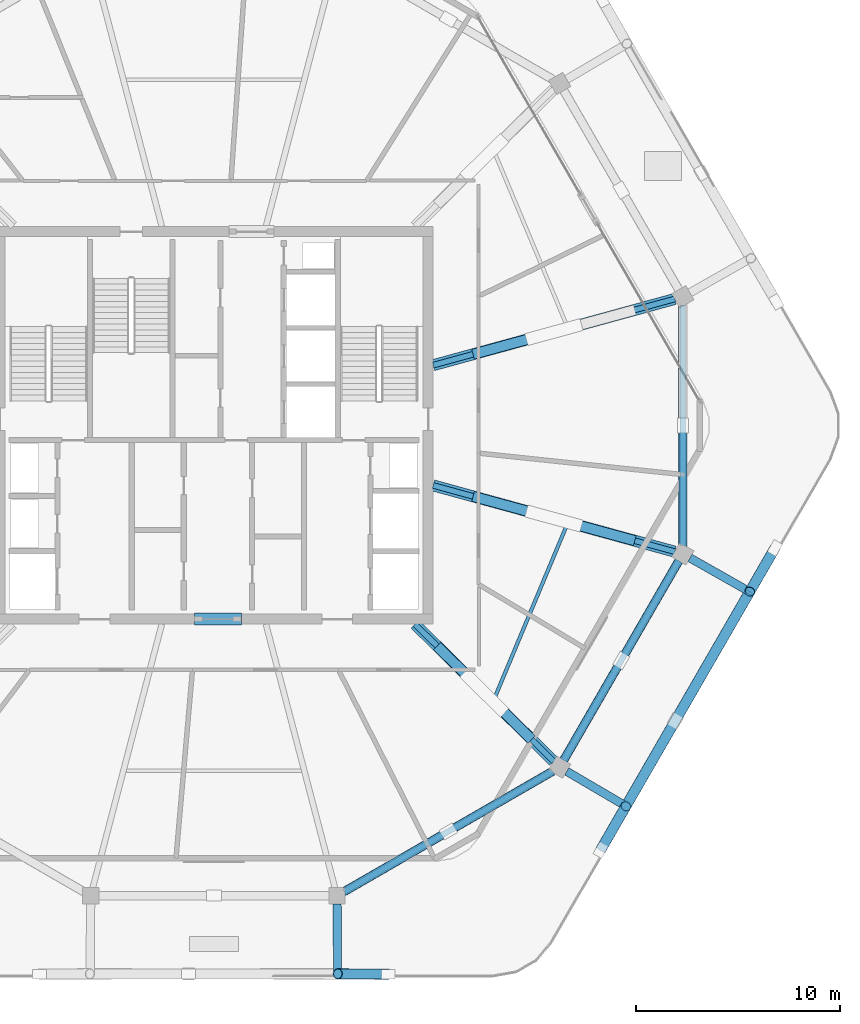
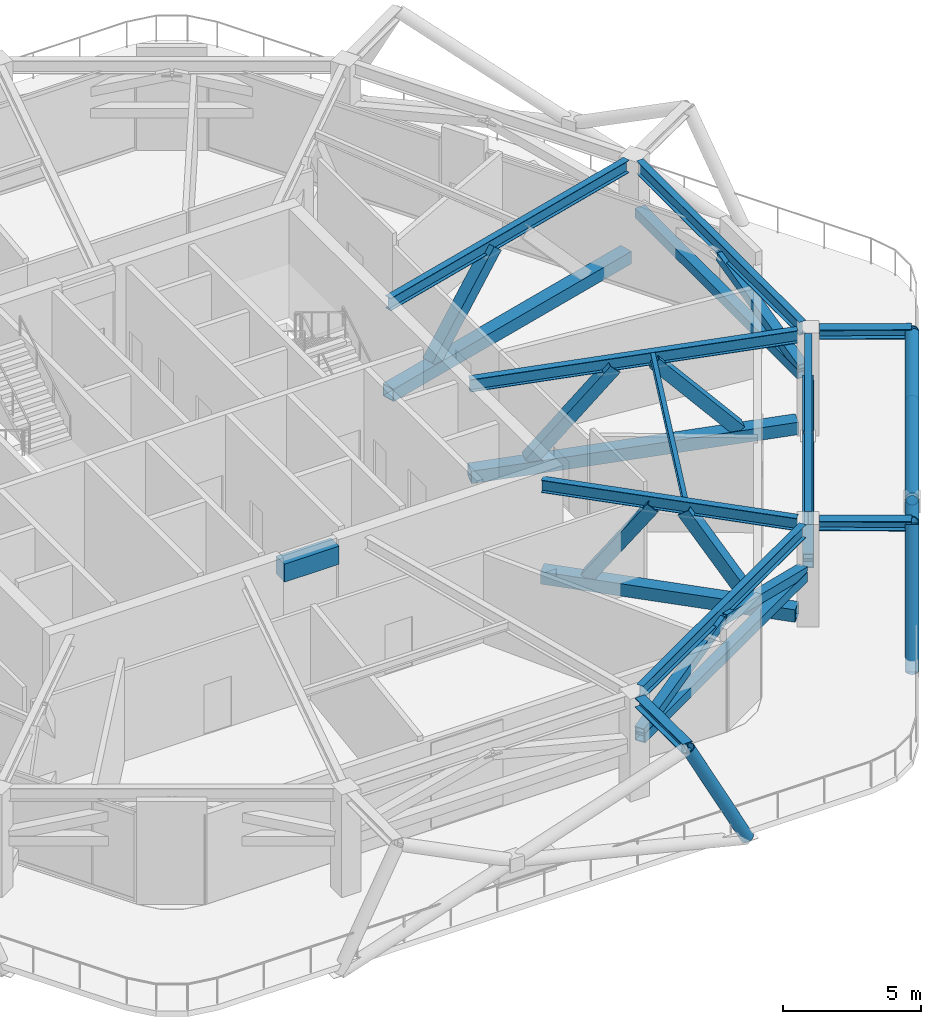
# One storey, part 5 of 19: 22 members, 11 beams.
"""IFC4 building model written with IfcOpenShell, lengths in metres."""

from ifc_helpers import new_model, si_unit, direction, frame, origin, origin_2d, place, context, subcontext, project, spatial, rectangle, hollow_rectangle, hollow_circle, i_section, extrude, material, material_profile, profile_set, type_object, element, save


model = new_model("IFC4")

# Units and contexts
model_context = context("Model", 3, precision=1e-05, world=origin(), true_north=direction((0.0, 1.0)))
body_context = subcontext(model_context, "Body", "Model", "MODEL_VIEW")
ifc_project = project(units=[si_unit("LENGTHUNIT", "METRE"), si_unit("AREAUNIT", "SQUARE_METRE"), si_unit("VOLUMEUNIT", "CUBIC_METRE"), si_unit("PLANEANGLEUNIT", "RADIAN"), si_unit("MASSUNIT", "GRAM", prefix="KILO")], contexts=[model_context])

# Site, building, storey
site_placement = place(None, origin())
site = spatial("IfcSite", under=ifc_project, at=site_placement, CompositionType="ELEMENT")
building_placement = place(site_placement, origin())
building = spatial("IfcBuilding", under=site, at=building_placement, Name="Zuhravey Tower", CompositionType="ELEMENT")
storey_placement = place(building_placement, frame((0.0, 0.0, 303.39990234375)))
storey = spatial("IfcBuildingStorey", under=building, at=storey_placement, Name="L77", CompositionType="ELEMENT", Elevation=303.39990234375)

# Members
ifc_material_1 = material(Name="Steel SM355", Category="steel")
ifc_material_profile_1 = material_profile(ifc_material_1, hollow_rectangle(XDim=0.419921875, YDim=0.419921875, WallThickness=0.028076171875, at=origin_2d()), Name="RHS-420x420x28")
ifc_profile_set_1 = profile_set([ifc_material_profile_1], Name="Steel SM355")
member_type_1 = type_object("IfcMemberType", Name="Belt Truss Chord RHS420x420", PredefinedType="CHORD", material=ifc_profile_set_1)
member_1_placement = place(storey_placement, frame((42.389404296875, 9.138427734375, 2.27001953125), z_axis=(0.86602323397, 0.500003758211, 0.0), x_axis=(-0.500003758211, 0.86602323397, 0.0)))
element("IfcMember", 1, at=member_1_placement, inside=storey, type_object=member_type_1, Name="L77 Belt Truss Bottom Chord BTC1-09", PredefinedType="CHORD", context=body_context, shape_type="SweptSolid", body=[
    extrude(hollow_rectangle(XDim=0.419921875, YDim=0.419921875, WallThickness=0.028076171875, at=origin_2d()), origin(), (0.0, 0.0, 1.0), 11.794921875),
])
member_2_placement = place(storey_placement, frame((53.1572265625, 15.589111328125, 2.27001953125), z_axis=(0.500007547564, 0.866021046153, 0.0), x_axis=(-0.866021046153, 0.500007547564, 0.0)))
element("IfcMember", 2, at=member_2_placement, inside=storey, type_object=member_type_1, Name="L77 Belt Truss Bottom Chord BTC1-10", PredefinedType="CHORD", context=body_context, shape_type="SweptSolid", body=[
    extrude(hollow_rectangle(XDim=0.419921875, YDim=0.419921875, WallThickness=0.028076171875, at=origin_2d()), origin(), (0.0, 0.0, 1.0), 11.267333984375),
])
member_3_placement = place(storey_placement, frame((58.993408203125, 26.1025390625, 2.27001953125), z_axis=(0.0, 1.0, 0.0), x_axis=(-1.0, 0.0, 0.0)))
element("IfcMember", 3, at=member_3_placement, inside=storey, type_object=member_type_1, Name="L77 Belt Truss Bottom Chord BTC1-11", PredefinedType="CHORD", context=body_context, shape_type="SweptSolid", body=[
    extrude(hollow_rectangle(XDim=0.419921875, YDim=0.419921875, WallThickness=0.028076171875, at=origin_2d()), origin(), (0.0, 0.0, 1.0), 11.794921875),
])
ifc_material_profile_2 = material_profile(ifc_material_1, hollow_rectangle(XDim=0.39990234375, YDim=0.39990234375, WallThickness=0.02490234375, at=origin_2d()), Name="RHS-400x400x25")
ifc_profile_set_2 = profile_set([ifc_material_profile_2], Name="Steel SM355")
member_type_2 = type_object("IfcMemberType", Name="Belt Truss Diagonal RHS400x400", PredefinedType="BRACE", material=ifc_profile_set_2)
for number, where, z_axis, x_axis, name in (
    (4, (42.402099609375, 9.145751953125, 2.49365234375), (0.841308559202, 0.485733126091, 0.237198731936), (-0.500002627198, 0.866023886965, 0.0), "L77 Belt Truss Diagonal BTD1-09.1"),
    (5, (52.59130859375, 15.028564453125, 2.49365234375), (-0.841292014948, -0.485764057907, 0.237194067445), (0.500033881485, -0.866005841416, 0.0), "L77 Belt Truss Diagonal BTD1-09.2"),
):
    element("IfcMember", number, at=place(storey_placement, frame(where, z_axis=z_axis, x_axis=x_axis)), inside=storey, type_object=member_type_2, Name=name, PredefinedType="BRACE", context=body_context, shape_type="SweptSolid", body=[
        extrude(hollow_rectangle(XDim=0.39990234375, YDim=0.39990234375, WallThickness=0.02490234375, at=origin_2d()), origin(), (0.0, 0.0, 1.0), 6.030517578125),
    ])
member_4_placement = place(storey_placement, frame((53.16455078125, 15.6015625, 2.493896484375), z_axis=(0.484407934139, 0.839068272722, 0.247615401488), x_axis=(-0.866038078012, 0.499978046952, 0.0)))
element("IfcMember", 6, at=member_4_placement, inside=storey, type_object=member_type_2, Name="L77 Belt Truss Diagonal BTD1-10.1", PredefinedType="BRACE", context=body_context, shape_type="SweptSolid", body=[
    extrude(hollow_rectangle(XDim=0.39990234375, YDim=0.39990234375, WallThickness=0.02490234375, at=origin_2d()), origin(), (0.0, 0.0, 1.0), 5.77490234375),
])
member_5_placement = place(storey_placement, frame((58.78369140625, 25.334228515625, 2.493896484375), z_axis=(-0.484425118095, -0.839055759618, 0.247624185432), x_axis=(0.866027169422, -0.499996941814, 0.0)))
element("IfcMember", 7, at=member_5_placement, inside=storey, type_object=member_type_2, Name="L77 Belt Truss Diagonal BTD1-10.2", PredefinedType="BRACE", context=body_context, shape_type="SweptSolid", body=[
    extrude(hollow_rectangle(XDim=0.39990234375, YDim=0.39990234375, WallThickness=0.02490234375, at=origin_2d()), origin(), (0.0, 0.0, 1.0), 5.774658203125),
])
member_6_placement = place(storey_placement, frame((58.993408203125, 26.1171875, 2.49365234375), z_axis=(0.0, 0.971463712551, 0.237188227355), x_axis=(-1.0, 0.0, 0.0)))
element("IfcMember", 8, at=member_6_placement, inside=storey, type_object=member_type_2, Name="L77 Belt Truss Diagonal BTD1-11.1", PredefinedType="BRACE", context=body_context, shape_type="SweptSolid", body=[
    extrude(hollow_rectangle(XDim=0.39990234375, YDim=0.39990234375, WallThickness=0.02490234375, at=origin_2d()), origin(), (0.0, 0.0, 1.0), 6.03076171875),
])

# Beams
ifc_material_2 = material(Name="Concrete C50/60", Category="concrete")
ifc_material_profile_3 = material_profile(ifc_material_2, rectangle(XDim=0.60009765625, YDim=0.800048828125, at=origin_2d()), Name="RC-600x800")
ifc_profile_set_3 = profile_set([ifc_material_profile_3], Name="Concrete C50/60")
beam_type_1 = type_object("IfcBeamType", Name="Core Coupling Beam RC600x800", PredefinedType="LINTEL", material=ifc_profile_set_3)
beam_1_placement = place(storey_placement, frame((35.052001953125, 22.5, 4.150146484375), z_axis=(1.0, 0.0, 0.0), x_axis=(0.0, 1.0, 0.0)))
element("IfcBeam", 9, at=beam_1_placement, inside=storey, type_object=beam_type_1, Name="L77 CB2 BM-L77-CB-S", PredefinedType="LINTEL", context=body_context, shape_type="SweptSolid", body=[
    extrude(rectangle(XDim=0.60009765625, YDim=0.800048828125, at=origin_2d()), origin(), (0.0, 0.0, 1.0), 2.2958984375),
])
ifc_material_3 = material(Name="Steel SM460", Category="steel")
ifc_material_profile_4 = material_profile(ifc_material_3, i_section(OverallWidth=0.406982421875, OverallDepth=0.427978515625, WebThickness=0.02001953125, FlangeThickness=0.034912109375, at=origin_2d()), Name="H-428x407x20x35")
ifc_profile_set_4 = profile_set([ifc_material_profile_4], Name="Steel SM460")
beam_type_2 = type_object("IfcBeamType", Name="Exoskeleton Node Tie Beam H428x407", PredefinedType="BEAM", material=ifc_profile_set_4)
beam_2_placement = place(storey_placement, frame((42.041748046875, 8.531982421875, 4.336181640625), z_axis=(0.007514817861, -0.999971763358, 0.0), x_axis=(0.999971763358, 0.007514817861, 0.0)))
element("IfcBeam", 10, at=beam_2_placement, inside=storey, type_object=beam_type_2, Name="L77 Exoskeleton Node Tie NT1-10", PredefinedType="BEAM", context=body_context, shape_type="SweptSolid", body=[
    extrude(i_section(OverallWidth=0.406982421875, OverallDepth=0.427978515625, WebThickness=0.02001953125, FlangeThickness=0.034912109375, at=origin_2d()), origin(), (0.0, 0.0, 1.0), 3.4111328125),
])
beam_3_placement = place(storey_placement, frame((53.302978515625, 15.03369140625, 4.336181640625), z_axis=(0.862181316244, -0.506599820292, 0.0), x_axis=(0.506599820292, 0.862181316244, 0.0)))
element("IfcBeam", 11, at=beam_3_placement, inside=storey, type_object=beam_type_2, Name="L77 Exoskeleton Node Tie NT1-11", PredefinedType="BEAM", context=body_context, shape_type="SweptSolid", body=[
    extrude(i_section(OverallWidth=0.406982421875, OverallDepth=0.427978515625, WebThickness=0.02001953125, FlangeThickness=0.034912109375, at=origin_2d()), origin(), (0.0, 0.0, 1.0), 3.351318359375),
])
beam_4_placement = place(storey_placement, frame((59.3447265625, 25.498291015625, 4.336181640625), z_axis=(0.869816903005, -0.493374660118, 0.0), x_axis=(0.493374660118, 0.869816903005, 0.0)))
element("IfcBeam", 12, at=beam_4_placement, inside=storey, type_object=beam_type_2, Name="L77 Exoskeleton Node Tie NT1-12", PredefinedType="BEAM", context=body_context, shape_type="SweptSolid", body=[
    extrude(i_section(OverallWidth=0.406982421875, OverallDepth=0.427978515625, WebThickness=0.02001953125, FlangeThickness=0.034912109375, at=origin_2d()), origin(), (0.0, 0.0, 1.0), 3.35107421875),
])

# Members
ifc_material_profile_5 = material_profile(ifc_material_1, hollow_circle(Radius=0.25390625, WallThickness=0.02490234375, at=origin_2d()), Name="CHS-508.0x25")
ifc_profile_set_5 = profile_set([ifc_material_profile_5], Name="Steel SM355")
member_type_3 = type_object("IfcMemberType", Name="Exoskeleton Zone 4 Diagrid CHS508x25", PredefinedType="BRACE", material=ifc_profile_set_5)
for number, where, z_axis, x_axis, name in (
    (13, (44.541259765625, 5.091064453125, -0.477783203125), (-0.457069113714, 0.002760789775, 0.889426896), (-0.006040091818, -0.999981758479, 0.0), "L77 Face 5 Diagrid Brace 4"),
    (14, (54.96826171875, 11.18603515625, -0.477783203125), (0.228556836561, 0.395833285655, 0.889425535067), (-0.866004199017, 0.500036725936, 0.0), "L77 Face 6 Diagrid Brace 1"),
):
    element("IfcMember", number, at=place(storey_placement, frame(where, z_axis=z_axis, x_axis=x_axis)), inside=storey, type_object=member_type_3, Name=name, PredefinedType="BRACE", context=body_context, shape_type="SweptSolid", body=[
        extrude(hollow_circle(Radius=0.25390625, WallThickness=0.02490234375, at=origin_2d()), origin(), (0.0, 0.0, 1.0), 5.394287109375),
    ])
member_7_placement = place(storey_placement, frame((54.988525390625, 11.220947265625, -0.477783203125), z_axis=(0.474741123655, 0.822303481133, 0.313748068404), x_axis=(-0.866032706045, 0.4999873519, 0.0)))
element("IfcMember", 15, at=member_7_placement, inside=storey, type_object=member_type_3, Name="L77 Face 6 Diagrid Brace 2", PredefinedType="BRACE", context=body_context, shape_type="SweptSolid", body=[
    extrude(hollow_circle(Radius=0.25390625, WallThickness=0.02490234375, at=origin_2d()), origin(), (0.0, 0.0, 1.0), 15.2919921875),
])
member_8_placement = place(storey_placement, frame((63.509521484375, 25.97998046875, -0.477783203125), z_axis=(-0.228556836561, -0.395833285655, 0.889425535067), x_axis=(0.866004199017, -0.500036725936, 0.0)))
element("IfcMember", 16, at=member_8_placement, inside=storey, type_object=member_type_3, Name="L77 Face 6 Diagrid Brace 4", PredefinedType="BRACE", context=body_context, shape_type="SweptSolid", body=[
    extrude(hollow_circle(Radius=0.25390625, WallThickness=0.02490234375, at=origin_2d()), origin(), (0.0, 0.0, 1.0), 5.394287109375),
])
member_9_placement = place(storey_placement, frame((63.489013671875, 25.944091796875, -0.481689453125), z_axis=(-0.48546566653, -0.840817057063, 0.239478105832), x_axis=(0.866016612159, -0.500015227232, 0.0)))
element("IfcMember", 17, at=member_9_placement, inside=storey, type_object=member_type_3, Name="L77 Face 6 Split Diagrid Brace 3A", PredefinedType="BRACE", context=body_context, shape_type="SweptSolid", body=[
    extrude(hollow_circle(Radius=0.25390625, WallThickness=0.02490234375, at=origin_2d()), origin(), (0.0, 0.0, 1.0), 9.7890625),
])
member_10_placement = place(storey_placement, frame((58.50927734375, 17.3193359375, 2.0302734375), z_axis=(-0.447134693811, -0.77449432998, 0.447469662011), x_axis=(0.866034998422, -0.499983381233, 0.0)))
element("IfcMember", 18, at=member_10_placement, inside=storey, type_object=member_type_3, Name="L77 Face 6 Split Diagrid Brace 3B", PredefinedType="BRACE", context=body_context, shape_type="SweptSolid", body=[
    extrude(hollow_circle(Radius=0.25390625, WallThickness=0.02490234375, at=origin_2d()), origin(), (0.0, 0.0, 1.0), 5.10205078125),
])
ifc_material_profile_6 = material_profile(ifc_material_3, hollow_rectangle(XDim=0.550048828125, YDim=0.550048828125, WallThickness=0.034912109375, at=origin_2d()), Name="RHS-550x550x35")
ifc_profile_set_6 = profile_set([ifc_material_profile_6], Name="Steel SM460")
member_type_4 = type_object("IfcMemberType", Name="Outrigger Truss Chord RHS550x550", PredefinedType="CHORD", material=ifc_profile_set_6)
member_11_placement = place(storey_placement, frame((46.7578125, 34.94873046875, 0.320068359375), z_axis=(0.964426879303, 0.264349757855, 0.0), x_axis=(-0.264349757855, 0.964426879303, 0.0)))
element("IfcMember", 19, at=member_11_placement, inside=storey, type_object=member_type_4, Name="L77 Outrigger Bottom Chord OTC1-01", PredefinedType="CHORD", context=body_context, shape_type="SweptSolid", body=[
    extrude(hollow_rectangle(XDim=0.550048828125, YDim=0.550048828125, WallThickness=0.034912109375, at=origin_2d()), origin(), (0.0, 0.0, 1.0), 12.2685546875),
])
member_12_placement = place(storey_placement, frame((45.868896484375, 22.243408203125, 0.320068359375), z_axis=(0.711136362331, -0.703054104725, 0.0), x_axis=(0.703054104725, 0.711136362331, 0.0)))
element("IfcMember", 20, at=member_12_placement, inside=storey, type_object=member_type_4, Name="L77 Outrigger Bottom Chord OTC1-07", PredefinedType="CHORD", context=body_context, shape_type="SweptSolid", body=[
    extrude(hollow_rectangle(XDim=0.550048828125, YDim=0.550048828125, WallThickness=0.034912109375, at=origin_2d()), origin(), (0.0, 0.0, 1.0), 9.54541015625),
])
member_13_placement = place(storey_placement, frame((46.7578125, 29.05126953125, 0.320068359375), z_axis=(0.964426879303, -0.264349757855, 0.0), x_axis=(0.264349757855, 0.964426879303, 0.0)))
element("IfcMember", 21, at=member_13_placement, inside=storey, type_object=member_type_4, Name="L77 Outrigger Bottom Chord OTC1-08", PredefinedType="CHORD", context=body_context, shape_type="SweptSolid", body=[
    extrude(hollow_rectangle(XDim=0.550048828125, YDim=0.550048828125, WallThickness=0.034912109375, at=origin_2d()), origin(), (0.0, 0.0, 1.0), 12.2685546875),
])
ifc_material_profile_7 = material_profile(ifc_material_3, hollow_rectangle(XDim=0.5, YDim=0.5, WallThickness=0.031982421875, at=origin_2d()), Name="RHS-500x500x32")
ifc_profile_set_7 = profile_set([ifc_material_profile_7], Name="Steel SM460")
member_type_5 = type_object("IfcMemberType", Name="Outrigger Truss Diagonal RHS500x500", PredefinedType="BRACE", material=ifc_profile_set_7)
member_14_placement = place(storey_placement, frame((48.8876953125, 35.532470703125, 0.56005859375), z_axis=(0.642554264858, 0.176141462763, 0.745719921826), x_axis=(-0.264373637473, 0.964420333573, 0.0)))
element("IfcMember", 22, at=member_14_placement, inside=storey, type_object=member_type_5, Name="L77 Outrigger Diagonal OTD1-01.1", PredefinedType="BRACE", context=body_context, shape_type="SweptSolid", body=[
    extrude(hollow_rectangle(XDim=0.5, YDim=0.5, WallThickness=0.031982421875, at=origin_2d()), origin(), (0.0, 0.0, 1.0), 4.787353515625),
])
member_15_placement = place(storey_placement, frame((47.0908203125, 21.035400390625, 0.56005859375), z_axis=(0.405921296379, -0.401260697734, 0.821107638255), x_axis=(0.70301228968, 0.711177699706, 0.0)))
element("IfcMember", 23, at=member_15_placement, inside=storey, type_object=member_type_5, Name="L77 Outrigger Diagonal OTD1-07.1", PredefinedType="BRACE", context=body_context, shape_type="SweptSolid", body=[
    extrude(hollow_rectangle(XDim=0.5, YDim=0.5, WallThickness=0.031982421875, at=origin_2d()), origin(), (0.0, 0.0, 1.0), 4.347900390625),
])
member_16_placement = place(storey_placement, frame((51.435302734375, 16.740478515625, 0.56005859375), z_axis=(-0.405959047329, 0.401298659925, 0.821070421727), x_axis=(-0.70301286089, -0.711177135054, 0.0)))
element("IfcMember", 24, at=member_16_placement, inside=storey, type_object=member_type_5, Name="L77 Outrigger Diagonal OTD1-07.2", PredefinedType="BRACE", context=body_context, shape_type="SweptSolid", body=[
    extrude(hollow_rectangle(XDim=0.5, YDim=0.5, WallThickness=0.031982421875, at=origin_2d()), origin(), (0.0, 0.0, 1.0), 4.34814453125),
])
for number, where, z_axis, x_axis, name in (
    (25, (48.8876953125, 28.467529296875, 0.56005859375), (0.642554264858, -0.176141462763, 0.745719921826), (0.264373637473, 0.964420333573, 0.0), "L77 Outrigger Diagonal OTD1-08.1"),
    (26, (56.4599609375, 26.39208984375, 0.56005859375), (-0.642560035892, 0.176092047931, 0.745726619432), (-0.264302443749, -0.964439846869, 0.0), "L77 Outrigger Diagonal OTD1-08.2"),
):
    element("IfcMember", number, at=place(storey_placement, frame(where, z_axis=z_axis, x_axis=x_axis)), inside=storey, type_object=member_type_5, Name=name, PredefinedType="BRACE", context=body_context, shape_type="SweptSolid", body=[
        extrude(hollow_rectangle(XDim=0.5, YDim=0.5, WallThickness=0.031982421875, at=origin_2d()), origin(), (0.0, 0.0, 1.0), 4.787353515625),
    ])

# Beams
ifc_material_profile_8 = material_profile(ifc_material_1, i_section(OverallWidth=0.280029296875, OverallDepth=0.580078125, WebThickness=0.011962890625, FlangeThickness=0.01904296875, at=origin_2d()), Name="H-580x280x12x19")
ifc_profile_set_8 = profile_set([ifc_material_profile_8], Name="Steel SM355")
beam_type_3 = type_object("IfcBeamType", Name="Perimeter Ring Beam H580x280", PredefinedType="BEAM", material=ifc_profile_set_8)
beam_5_placement = place(storey_placement, frame((42.3876953125, 9.137451171875, 4.260009765625), z_axis=(0.866023977509, 0.500002470373, 0.0), x_axis=(-0.500002470373, 0.866023977509, 0.0)))
element("IfcBeam", 27, at=beam_5_placement, inside=storey, type_object=beam_type_3, Name="L77 PB4 BM-L77-PB-10", PredefinedType="BEAM", context=body_context, shape_type="SweptSolid", body=[
    extrude(i_section(OverallWidth=0.280029296875, OverallDepth=0.580078125, WebThickness=0.011962890625, FlangeThickness=0.01904296875, at=origin_2d()), origin(), (0.0, 0.0, 1.0), 11.798828125),
])
beam_6_placement = place(storey_placement, frame((53.15625, 15.58740234375, 4.260009765625), z_axis=(0.500006198144, 0.866021825255, 0.0), x_axis=(-0.866021825255, 0.500006198144, 0.0)))
element("IfcBeam", 28, at=beam_6_placement, inside=storey, type_object=beam_type_3, Name="L77 PB4 BM-L77-PB-11", PredefinedType="BEAM", context=body_context, shape_type="SweptSolid", body=[
    extrude(i_section(OverallWidth=0.280029296875, OverallDepth=0.580078125, WebThickness=0.011962890625, FlangeThickness=0.01904296875, at=origin_2d()), origin(), (0.0, 0.0, 1.0), 11.271240234375),
])
beam_7_placement = place(storey_placement, frame((58.993408203125, 26.1005859375, 4.260009765625), z_axis=(0.0, 1.0, 0.0), x_axis=(-1.0, 0.0, 0.0)))
element("IfcBeam", 29, at=beam_7_placement, inside=storey, type_object=beam_type_3, Name="L77 PB4 BM-L77-PB-12", PredefinedType="BEAM", context=body_context, shape_type="SweptSolid", body=[
    extrude(i_section(OverallWidth=0.280029296875, OverallDepth=0.580078125, WebThickness=0.011962890625, FlangeThickness=0.01904296875, at=origin_2d()), origin(), (0.0, 0.0, 1.0), 11.798828125),
])
ifc_material_profile_9 = material_profile(ifc_material_1, i_section(OverallWidth=0.280029296875, OverallDepth=0.550048828125, WebThickness=0.010986328125, FlangeThickness=0.01806640625, at=origin_2d()), Name="H-550x280x11x18")
ifc_profile_set_9 = profile_set([ifc_material_profile_9], Name="Steel SM355")
beam_type_4 = type_object("IfcBeamType", Name="Radial Primary Girder H550x280", PredefinedType="BEAM", material=ifc_profile_set_9)
beam_8_placement = place(storey_placement, frame((46.7529296875, 34.947265625, 4.275146484375), z_axis=(0.964427903067, 0.264346022829, 0.0), x_axis=(-0.264346022829, 0.964427903067, 0.0)))
element("IfcBeam", 30, at=beam_8_placement, inside=storey, type_object=beam_type_4, Name="L77 RG4 BM-L77-RAD-01", PredefinedType="BEAM", context=body_context, shape_type="SweptSolid", body=[
    extrude(i_section(OverallWidth=0.280029296875, OverallDepth=0.550048828125, WebThickness=0.010986328125, FlangeThickness=0.01806640625, at=origin_2d()), origin(), (0.0, 0.0, 1.0), 12.2890625),
])
beam_9_placement = place(storey_placement, frame((45.865234375, 22.2470703125, 4.275146484375), z_axis=(0.711153035666, -0.703037239314, 0.0), x_axis=(0.703037239314, 0.711153035666, 0.0)))
element("IfcBeam", 31, at=beam_9_placement, inside=storey, type_object=beam_type_4, Name="L77 RG4 BM-L77-RAD-11", PredefinedType="BEAM", context=body_context, shape_type="SweptSolid", body=[
    extrude(i_section(OverallWidth=0.280029296875, OverallDepth=0.550048828125, WebThickness=0.010986328125, FlangeThickness=0.01806640625, at=origin_2d()), origin(), (0.0, 0.0, 1.0), 9.566162109375),
])
beam_10_placement = place(storey_placement, frame((46.7529296875, 29.052734375, 4.275146484375), z_axis=(0.964427903067, -0.264346022829, 0.0), x_axis=(0.264346022829, 0.964427903067, 0.0)))
element("IfcBeam", 32, at=beam_10_placement, inside=storey, type_object=beam_type_4, Name="L77 RG4 BM-L77-RAD-12", PredefinedType="BEAM", context=body_context, shape_type="SweptSolid", body=[
    extrude(i_section(OverallWidth=0.280029296875, OverallDepth=0.550048828125, WebThickness=0.010986328125, FlangeThickness=0.01806640625, at=origin_2d()), origin(), (0.0, 0.0, 1.0), 12.2890625),
])
ifc_material_profile_10 = material_profile(ifc_material_1, i_section(OverallWidth=0.175048828125, OverallDepth=0.35009765625, WebThickness=0.007080078125, FlangeThickness=0.010986328125, at=origin_2d()), Name="H-350x175x7x11")
ifc_profile_set_10 = profile_set([ifc_material_profile_10], Name="Steel SM355")
beam_type_5 = type_object("IfcBeamType", Name="Secondary Floor Joist H350x175", PredefinedType="JOIST", material=ifc_profile_set_10)
beam_11_placement = place(storey_placement, frame((49.7490234375, 18.59521484375, 4.375), z_axis=(0.385657891576, 0.922641853953, 0.0), x_axis=(-0.922641853953, 0.385657891576, 0.0)))
element("IfcBeam", 33, at=beam_11_placement, inside=storey, type_object=beam_type_5, Name="L77 SJ3 BM-L77-SJ-11-1", PredefinedType="JOIST", context=body_context, shape_type="SweptSolid", body=[
    extrude(i_section(OverallWidth=0.175048828125, OverallDepth=0.35009765625, WebThickness=0.007080078125, FlangeThickness=0.010986328125, at=origin_2d()), origin(), (0.0, 0.0, 1.0), 9.226806640625),
])

save(model, "model.ifc")
